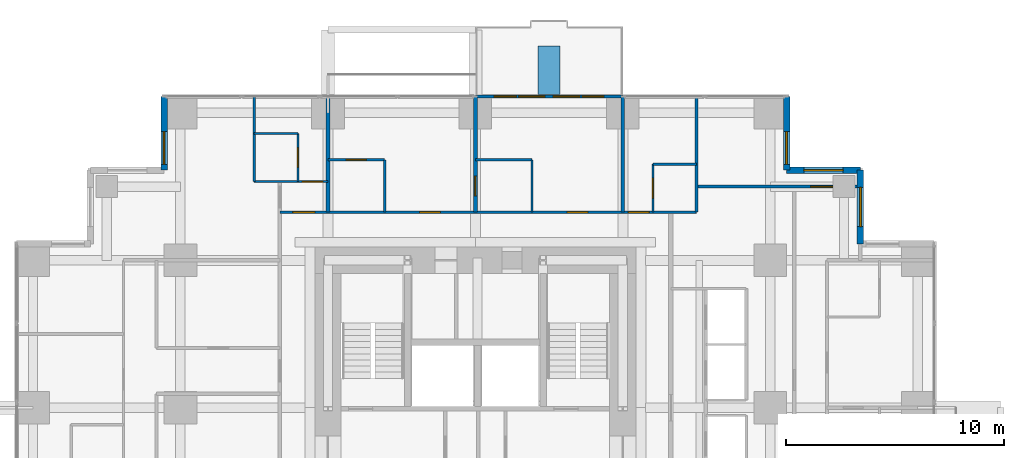
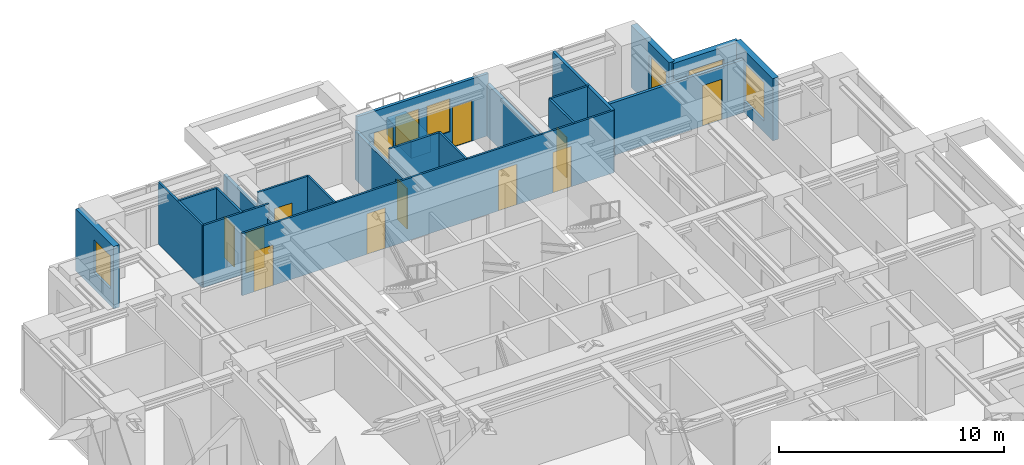
# One storey, part 10 of 12: 22 walls, 12 doors, 6 windows, 18 openings.
"""IFC4 building model written with IfcOpenShell, lengths in metres."""

from ifc_helpers import new_model, si_unit, direction, frame, frame_2d, origin, place, context, subcontext, project, spatial, rectangle, extrude, material, layer, layer_set, type_object, element, fill, save


model = new_model("IFC4")

# Units and contexts
model_context = context("Model", 3, precision=1e-05, world=origin(), true_north=direction((0.0, 1.0)))
body_context = subcontext(model_context, "Body", "Model", "MODEL_VIEW")
ifc_project = project(units=[si_unit("LENGTHUNIT", "METRE"), si_unit("AREAUNIT", "SQUARE_METRE"), si_unit("VOLUMEUNIT", "CUBIC_METRE"), si_unit("PLANEANGLEUNIT", "RADIAN"), si_unit("MASSUNIT", "GRAM", prefix="KILO")], contexts=[model_context])

# Site, building, storey
site_placement = place(None, origin())
site = spatial("IfcSite", under=ifc_project, at=site_placement, CompositionType="ELEMENT")
building_placement = place(site_placement, origin())
building = spatial("IfcBuilding", under=site, at=building_placement, Name="Nyansa Garden Tower", CompositionType="ELEMENT")
storey_placement = place(building_placement, frame((0.0, 0.0, 112.5)))
storey = spatial("IfcBuildingStorey", under=building, at=storey_placement, Name="L30", CompositionType="ELEMENT", Elevation=112.5)

# Wall
ifc_material_1 = material(Name="Dense blockwork, plastered both sides, 55 dB", Category="masonry")
ifc_layer_1 = layer(ifc_material_1, 0.175048828125)
ifc_layer_set_1 = layer_set([ifc_layer_1], Name="Acoustic party wall PW175")
wall_type_1 = type_object("IfcWallType", Name="Acoustic party wall PW175", PredefinedType="PARTITIONING", material=ifc_layer_set_1)
wall_1_placement = place(storey_placement, frame((13.5, 29.199951171875, 0.0), z_axis=(0.0, 0.0, 1.0), x_axis=(0.0, 1.0, 0.0)))
element("IfcWall", 1, at=wall_1_placement, inside=storey, type_object=wall_type_1, Name="Party wall", PredefinedType="PARTITIONING", context=body_context, shape_type="SweptSolid", body=[
    extrude(rectangle(XDim=5.283935546875, YDim=0.175048828125, at=frame_2d((2.64208984375, 0.0))), origin(), (0.0, 0.0, 1.0), 2.610107421875),
])

# Wall, opening, door
wall_2_placement = place(storey_placement, frame((20.25, 29.199951171875, 0.0), z_axis=(0.0, 0.0, 1.0), x_axis=(0.0, 1.0, 0.0)))
wall_2 = element("IfcWall", 2, at=wall_2_placement, inside=storey, type_object=wall_type_1, Name="Party wall", PredefinedType="PARTITIONING", context=body_context, shape_type="SweptSolid", body=[
    extrude(rectangle(XDim=5.283935546875, YDim=0.175048828125, at=frame_2d((2.64208984375, 0.0))), origin(), (0.0, 0.0, 1.0), 2.610107421875),
])
opening_1_placement = place(wall_2_placement, frame((0.75, 0.0, 0.0)))
opening_1 = element("IfcOpeningElement", 3, at=opening_1_placement, cuts=wall_2, Name="Opening D02", PredefinedType="OPENING", context=body_context, shape_type="SweptSolid", body=[
    extrude(rectangle(XDim=0.89990234375, YDim=2.199951171875, at=frame_2d((0.449951171875, 1.10009765625))), frame((0.0, 0.097412109375, 0.0), z_axis=(0.0, -1.0, 0.0), x_axis=(1.0, 0.0, 0.0)), (0.0, 0.0, 1.0), 0.195068359375),
])
ifc_material_2 = material(Name="Timber flush door", Category="wood")
door_type_1 = type_object("IfcDoorType", Name="En-suite door D02 900x2200", OperationType="SINGLE_SWING_RIGHT", PredefinedType="DOOR", material=ifc_material_2)
door_1_placement = place(opening_1_placement, origin())
door_1 = element("IfcDoor", 4, at=door_1_placement, inside=storey, type_object=door_type_1, Name="Door L30-040", OperationType="SINGLE_SWING_RIGHT", OverallHeight=2.199951171875, OverallWidth=0.89990234375, PredefinedType="DOOR", context=body_context, shape_type="SweptSolid", body=[
    extrude(rectangle(XDim=0.89990234375, YDim=2.199951171875, at=frame_2d((0.449951171875, 1.10009765625))), frame((0.0, 0.02490234375, 0.0), z_axis=(0.0, -1.0, 0.0), x_axis=(1.0, 0.0, 0.0)), (0.0, 0.0, 1.0), 0.050048828125),
])
fill(opening_1, door_1)

# Wall
wall_3_placement = place(storey_placement, frame((27.0, 29.199951171875, 0.0), z_axis=(0.0, 0.0, 1.0), x_axis=(0.0, 1.0, 0.0)))
element("IfcWall", 5, at=wall_3_placement, inside=storey, type_object=wall_type_1, Name="Party wall", PredefinedType="PARTITIONING", context=body_context, shape_type="SweptSolid", body=[
    extrude(rectangle(XDim=5.283935546875, YDim=0.175048828125, at=frame_2d((2.64208984375, 0.0))), origin(), (0.0, 0.0, 1.0), 2.805908203125),
])

# Wall, openings, doors, windows
ifc_material_3 = material(Name="Black aluminium framed glazed screen", Category="aluminium")
ifc_layer_2 = layer(ifc_material_3, 0.14990234375)
ifc_layer_set_2 = layer_set([ifc_layer_2], Name="Balcony screen wall BW150")
wall_type_2 = type_object("IfcWallType", Name="Balcony screen wall BW150", PredefinedType="SOLIDWALL", material=ifc_layer_set_2)
wall_4_placement = place(storey_placement, frame((20.25, 34.5, 0.0), z_axis=(0.0, 0.0, 1.0), x_axis=(1.0, 0.0, 0.0)))
wall_4 = element("IfcWall", 6, at=wall_4_placement, inside=storey, type_object=wall_type_2, Name="Glazed screen wall L30 N", PredefinedType="SOLIDWALL", context=body_context, shape_type="SweptSolid", body=[
    extrude(rectangle(XDim=6.75, YDim=0.14990234375, at=frame_2d((3.375, 0.0))), origin(), (0.0, 0.0, 1.0), 3.375),
])
opening_2_placement = place(wall_4_placement, frame((0.862548828125, 0.0, 0.0)))
opening_2 = element("IfcOpeningElement", 7, at=opening_2_placement, cuts=wall_4, Name="Opening D20", PredefinedType="OPENING", context=body_context, shape_type="SweptSolid", body=[
    extrude(rectangle(XDim=1.0, YDim=2.199951171875, at=frame_2d((0.5, 1.10009765625))), frame((0.0, 0.0849609375, 0.0), z_axis=(0.0, -1.0, 0.0), x_axis=(1.0, 0.0, 0.0)), (0.0, 0.0, 1.0), 0.169921875),
])
opening_3_placement = place(wall_4_placement, frame((1.97509765625, 0.0, 0.89990234375)))
opening_3 = element("IfcOpeningElement", 8, at=opening_3_placement, cuts=wall_4, Name="Opening W6", PredefinedType="OPENING", context=body_context, shape_type="SweptSolid", body=[
    extrude(rectangle(XDim=1.199951171875, YDim=1.800048828125, at=frame_2d((0.60009765625, 0.89990234375))), frame((0.0, 0.0849609375, 0.0), z_axis=(0.0, -1.0, 0.0), x_axis=(1.0, 0.0, 0.0)), (0.0, 0.0, 1.0), 0.169921875),
])
opening_4_placement = place(wall_4_placement, frame((4.887451171875, 0.0, 0.0)))
opening_4 = element("IfcOpeningElement", 9, at=opening_4_placement, cuts=wall_4, Name="Opening D20", PredefinedType="OPENING", context=body_context, shape_type="SweptSolid", body=[
    extrude(rectangle(XDim=1.0, YDim=2.199951171875, at=frame_2d((0.5, 1.10009765625))), frame((0.0, 0.0849609375, 0.0), z_axis=(0.0, -1.0, 0.0), x_axis=(1.0, 0.0, 0.0)), (0.0, 0.0, 1.0), 0.169921875),
])
opening_5_placement = place(wall_4_placement, frame((3.574951171875, 0.0, 0.89990234375)))
opening_5 = element("IfcOpeningElement", 10, at=opening_5_placement, cuts=wall_4, Name="Opening W6", PredefinedType="OPENING", context=body_context, shape_type="SweptSolid", body=[
    extrude(rectangle(XDim=1.199951171875, YDim=1.800048828125, at=frame_2d((0.60009765625, 0.89990234375))), frame((0.0, 0.0849609375, 0.0), z_axis=(0.0, -1.0, 0.0), x_axis=(1.0, 0.0, 0.0)), (0.0, 0.0, 1.0), 0.169921875),
])
ifc_material_4 = material(Name="Black aluminium framed glazed door", Category="aluminium")
door_type_2 = type_object("IfcDoorType", Name="Balcony door D20 1000x2200", OperationType="NOTDEFINED", PredefinedType="DOOR", material=ifc_material_4)
door_2_placement = place(opening_2_placement, origin())
door_2 = element("IfcDoor", 11, at=door_2_placement, inside=storey, type_object=door_type_2, Name="Balcony door L30", OperationType="SINGLE_SWING_LEFT", OverallHeight=2.199951171875, OverallWidth=1.0, PredefinedType="DOOR", context=body_context, shape_type="SweptSolid", body=[
    extrude(rectangle(XDim=1.0, YDim=2.199951171875, at=frame_2d((0.5, 1.10009765625))), frame((0.0, 0.02490234375, 0.0), z_axis=(0.0, -1.0, 0.0), x_axis=(1.0, 0.0, 0.0)), (0.0, 0.0, 1.0), 0.050048828125),
])
fill(opening_2, door_2)
door_3_placement = place(opening_4_placement, origin())
door_3 = element("IfcDoor", 12, at=door_3_placement, inside=storey, type_object=door_type_2, Name="Balcony door L30", OperationType="SINGLE_SWING_RIGHT", OverallHeight=2.199951171875, OverallWidth=1.0, PredefinedType="DOOR", context=body_context, shape_type="SweptSolid", body=[
    extrude(rectangle(XDim=1.0, YDim=2.199951171875, at=frame_2d((0.5, 1.10009765625))), frame((0.0, 0.02490234375, 0.0), z_axis=(0.0, -1.0, 0.0), x_axis=(1.0, 0.0, 0.0)), (0.0, 0.0, 1.0), 0.050048828125),
])
fill(opening_4, door_3)
ifc_material_5 = material(Name="Black aluminium frame, dark tinted double glazing", Category="aluminium")
window_type_1 = type_object("IfcWindowType", Name="Balcony window W6 1200x1800", PartitioningType="SINGLE_PANEL", PredefinedType="WINDOW", material=ifc_material_5)
window_1_placement = place(opening_3_placement, origin())
window_1 = element("IfcWindow", 13, at=window_1_placement, inside=storey, type_object=window_type_1, Name="Window L30", OverallHeight=1.800048828125, OverallWidth=1.199951171875, PartitioningType="SINGLE_PANEL", PredefinedType="WINDOW", context=body_context, shape_type="SweptSolid", body=[
    extrude(rectangle(XDim=1.199951171875, YDim=1.800048828125, at=frame_2d((0.60009765625, 0.89990234375))), frame((0.0, 0.030029296875, 0.0), z_axis=(0.0, -1.0, 0.0), x_axis=(1.0, 0.0, 0.0)), (0.0, 0.0, 1.0), 0.06005859375),
])
fill(opening_3, window_1)
window_2_placement = place(opening_5_placement, origin())
window_2 = element("IfcWindow", 14, at=window_2_placement, inside=storey, type_object=window_type_1, Name="Window L30", OverallHeight=1.800048828125, OverallWidth=1.199951171875, PartitioningType="SINGLE_PANEL", PredefinedType="WINDOW", context=body_context, shape_type="SweptSolid", body=[
    extrude(rectangle(XDim=1.199951171875, YDim=1.800048828125, at=frame_2d((0.60009765625, 0.89990234375))), frame((0.0, 0.030029296875, 0.0), z_axis=(0.0, -1.0, 0.0), x_axis=(1.0, 0.0, 0.0)), (0.0, 0.0, 1.0), 0.06005859375),
])
fill(opening_5, window_2)

# Wall
ifc_material_6 = material(Name="Blockwork, plastered both sides", Category="masonry")
ifc_layer_3 = layer(ifc_material_6, 0.14990234375)
ifc_layer_set_3 = layer_set([ifc_layer_3], Name="Partition PW150")
wall_type_3 = type_object("IfcWallType", Name="Partition PW150", PredefinedType="PARTITIONING", material=ifc_layer_set_3)
wall_5_placement = place(storey_placement, frame((30.375, 29.199951171875, 0.0), z_axis=(0.0, 0.0, 1.0), x_axis=(0.0, 1.0, 0.0)))
element("IfcWall", 15, at=wall_5_placement, inside=storey, type_object=wall_type_3, Name="Partition", PredefinedType="PARTITIONING", context=body_context, shape_type="SweptSolid", body=[
    extrude(rectangle(XDim=5.283935546875, YDim=0.14990234375, at=frame_2d((2.64208984375, 0.0))), origin(), (0.0, 0.0, 1.0), 3.375),
])

# Wall, opening, door
wall_6_placement = place(storey_placement, frame((30.375, 30.375, 0.0), z_axis=(0.0, 0.0, 1.0), x_axis=(1.0, 0.0, 0.0)))
wall_6 = element("IfcWall", 16, at=wall_6_placement, inside=storey, type_object=wall_type_3, Name="Partition", PredefinedType="PARTITIONING", context=body_context, shape_type="SweptSolid", body=[
    extrude(rectangle(XDim=7.35009765625, YDim=0.14990234375, at=frame_2d((3.675048828125, 0.0))), origin(), (0.0, 0.0, 1.0), 2.876953125),
])
opening_6_placement = place(wall_6_placement, frame((5.22509765625, 0.0, 0.0)))
opening_6 = element("IfcOpeningElement", 17, at=opening_6_placement, cuts=wall_6, Name="Opening D03", PredefinedType="OPENING", context=body_context, shape_type="SweptSolid", body=[
    extrude(rectangle(XDim=1.0, YDim=2.199951171875, at=frame_2d((0.5, 1.10009765625))), frame((0.0, 0.0849609375, 0.0), z_axis=(0.0, -1.0, 0.0), x_axis=(1.0, 0.0, 0.0)), (0.0, 0.0, 1.0), 0.169921875),
])
ifc_material_7 = material(Name="Timber flush door, 60 minute fire resisting", Category="wood")
door_type_3 = type_object("IfcDoorType", Name="Cluster entrance door D03 1000x2200", OperationType="SINGLE_SWING_LEFT", PredefinedType="DOOR", material=ifc_material_7)
door_4_placement = place(opening_6_placement, origin())
door_4 = element("IfcDoor", 18, at=door_4_placement, inside=storey, type_object=door_type_3, Name="Door L30-036", OperationType="SINGLE_SWING_LEFT", OverallHeight=2.199951171875, OverallWidth=1.0, PredefinedType="DOOR", context=body_context, shape_type="SweptSolid", body=[
    extrude(rectangle(XDim=1.0, YDim=2.199951171875, at=frame_2d((0.5, 1.10009765625))), frame((0.0, 0.02490234375, 0.0), z_axis=(0.0, -1.0, 0.0), x_axis=(1.0, 0.0, 0.0)), (0.0, 0.0, 1.0), 0.050048828125),
])
fill(opening_6, door_4)

# Wall, opening, window
ifc_material_8 = material(Name="Turquoise glazed tile on concrete blockwork", Category="masonry")
ifc_layer_4 = layer(ifc_material_8, 0.300048828125)
ifc_layer_set_4 = layer_set([ifc_layer_4], Name="Tiled corner wall TW300")
wall_type_4 = type_object("IfcWallType", Name="Tiled corner wall TW300", PredefinedType="SOLIDWALL", material=ifc_layer_set_4)
wall_7_placement = place(storey_placement, frame((37.875, 27.75, 0.0), z_axis=(0.0, 0.0, 1.0), x_axis=(0.0, 1.0, 0.0)))
wall_7 = element("IfcWall", 19, at=wall_7_placement, inside=storey, type_object=wall_type_4, Name="Tiled corner wall L30", PredefinedType="SOLIDWALL", context=body_context, shape_type="SweptSolid", body=[
    extrude(rectangle(XDim=3.375, YDim=0.300048828125, at=frame_2d((1.6875, 0.0))), origin(), (0.0, 0.0, 1.0), 3.375),
])
opening_7_placement = place(wall_7_placement, frame((0.78759765625, 0.0, 0.60009765625)))
opening_7 = element("IfcOpeningElement", 20, at=opening_7_placement, cuts=wall_7, Name="Opening W2", PredefinedType="OPENING", context=body_context, shape_type="SweptSolid", body=[
    extrude(rectangle(XDim=1.800048828125, YDim=2.10009765625, at=frame_2d((0.89990234375, 1.050048828125))), frame((0.0, 0.159912109375, 0.0), z_axis=(0.0, -1.0, 0.0), x_axis=(1.0, 0.0, 0.0)), (0.0, 0.0, 1.0), 0.320068359375),
])
ifc_material_9 = material(Name="Black aluminium frame, dark tinted double glazing", Category="aluminium")
window_type_2 = type_object("IfcWindowType", Name="Window W2 1800x2100", PartitioningType="SINGLE_PANEL", PredefinedType="WINDOW", material=ifc_material_9)
window_3_placement = place(opening_7_placement, origin())
window_3 = element("IfcWindow", 21, at=window_3_placement, inside=storey, type_object=window_type_2, Name="Corner window L30", OverallHeight=2.10009765625, OverallWidth=1.800048828125, PartitioningType="SINGLE_PANEL", PredefinedType="WINDOW", context=body_context, shape_type="SweptSolid", body=[
    extrude(rectangle(XDim=1.800048828125, YDim=2.10009765625, at=frame_2d((0.89990234375, 1.050048828125))), frame((0.0, 0.030029296875, 0.0), z_axis=(0.0, -1.0, 0.0), x_axis=(1.0, 0.0, 0.0)), (0.0, 0.0, 1.0), 0.06005859375),
])
fill(opening_7, window_3)

wall_8_placement = place(storey_placement, frame((37.875, 31.125, 0.0), z_axis=(0.0, 0.0, 1.0), x_axis=(-1.0, 0.0, 0.0)))
wall_8 = element("IfcWall", 22, at=wall_8_placement, inside=storey, type_object=wall_type_4, Name="Tiled corner wall L30", PredefinedType="SOLIDWALL", context=body_context, shape_type="SweptSolid", body=[
    extrude(rectangle(XDim=3.375, YDim=0.300048828125, at=frame_2d((1.6875, 0.0))), origin(), (0.0, 0.0, 1.0), 3.375),
])
opening_8_placement = place(wall_8_placement, frame((0.78759765625, 0.0, 0.60009765625)))
opening_8 = element("IfcOpeningElement", 23, at=opening_8_placement, cuts=wall_8, Name="Opening W2", PredefinedType="OPENING", context=body_context, shape_type="SweptSolid", body=[
    extrude(rectangle(XDim=1.800048828125, YDim=2.10009765625, at=frame_2d((0.89990234375, 1.050048828125))), frame((0.0, 0.159912109375, 0.0), z_axis=(0.0, -1.0, 0.0), x_axis=(1.0, 0.0, 0.0)), (0.0, 0.0, 1.0), 0.320068359375),
])
window_4_placement = place(opening_8_placement, origin())
window_4 = element("IfcWindow", 24, at=window_4_placement, inside=storey, type_object=window_type_2, Name="Corner window L30", OverallHeight=2.10009765625, OverallWidth=1.800048828125, PartitioningType="SINGLE_PANEL", PredefinedType="WINDOW", context=body_context, shape_type="SweptSolid", body=[
    extrude(rectangle(XDim=1.800048828125, YDim=2.10009765625, at=frame_2d((0.89990234375, 1.050048828125))), frame((0.0, 0.030029296875, 0.0), z_axis=(0.0, -1.0, 0.0), x_axis=(1.0, 0.0, 0.0)), (0.0, 0.0, 1.0), 0.06005859375),
])
fill(opening_8, window_4)

wall_9_placement = place(storey_placement, frame((34.5, 31.125, 0.0), z_axis=(0.0, 0.0, 1.0), x_axis=(0.0, 1.0, 0.0)))
wall_9 = element("IfcWall", 25, at=wall_9_placement, inside=storey, type_object=wall_type_4, Name="Tiled corner wall L30", PredefinedType="SOLIDWALL", context=body_context, shape_type="SweptSolid", body=[
    extrude(rectangle(XDim=3.375, YDim=0.300048828125, at=frame_2d((1.6875, 0.0))), origin(), (0.0, 0.0, 1.0), 3.375),
])
opening_9_placement = place(wall_9_placement, frame((0.267578125, 0.0, 0.89990234375)))
opening_9 = element("IfcOpeningElement", 26, at=opening_9_placement, cuts=wall_9, Name="Opening W1", PredefinedType="OPENING", context=body_context, shape_type="SweptSolid", body=[
    extrude(rectangle(XDim=1.5, YDim=1.800048828125, at=frame_2d((0.75, 0.89990234375))), frame((0.0, 0.159912109375, 0.0), z_axis=(0.0, -1.0, 0.0), x_axis=(1.0, 0.0, 0.0)), (0.0, 0.0, 1.0), 0.320068359375),
])
ifc_material_10 = material(Name="Black aluminium frame, dark tinted double glazing", Category="aluminium")
window_type_3 = type_object("IfcWindowType", Name="Window W1 1500x1800", PartitioningType="SINGLE_PANEL", PredefinedType="WINDOW", material=ifc_material_10)
window_5_placement = place(opening_9_placement, origin())
window_5 = element("IfcWindow", 27, at=window_5_placement, inside=storey, type_object=window_type_3, Name="Corner window L30", OverallHeight=1.800048828125, OverallWidth=1.5, PartitioningType="SINGLE_PANEL", PredefinedType="WINDOW", context=body_context, shape_type="SweptSolid", body=[
    extrude(rectangle(XDim=1.5, YDim=1.800048828125, at=frame_2d((0.75, 0.89990234375))), frame((0.0, 0.030029296875, 0.0), z_axis=(0.0, -1.0, 0.0), x_axis=(1.0, 0.0, 0.0)), (0.0, 0.0, 1.0), 0.06005859375),
])
fill(opening_9, window_5)

wall_10_placement = place(storey_placement, frame((6.0, 34.5, 0.0), z_axis=(0.0, 0.0, 1.0), x_axis=(0.0, -1.0, 0.0)))
wall_10 = element("IfcWall", 28, at=wall_10_placement, inside=storey, type_object=wall_type_4, Name="Tiled corner wall L30", PredefinedType="SOLIDWALL", context=body_context, shape_type="SweptSolid", body=[
    extrude(rectangle(XDim=3.375, YDim=0.300048828125, at=frame_2d((1.6875, 0.0))), origin(), (0.0, 0.0, 1.0), 3.375),
])
opening_10_placement = place(wall_10_placement, frame((1.607421875, 0.0, 0.89990234375)))
opening_10 = element("IfcOpeningElement", 29, at=opening_10_placement, cuts=wall_10, Name="Opening W1", PredefinedType="OPENING", context=body_context, shape_type="SweptSolid", body=[
    extrude(rectangle(XDim=1.5, YDim=1.800048828125, at=frame_2d((0.75, 0.89990234375))), frame((0.0, 0.159912109375, 0.0), z_axis=(0.0, -1.0, 0.0), x_axis=(1.0, 0.0, 0.0)), (0.0, 0.0, 1.0), 0.320068359375),
])
window_6_placement = place(opening_10_placement, origin())
window_6 = element("IfcWindow", 30, at=window_6_placement, inside=storey, type_object=window_type_3, Name="Corner window L30", OverallHeight=1.800048828125, OverallWidth=1.5, PartitioningType="SINGLE_PANEL", PredefinedType="WINDOW", context=body_context, shape_type="SweptSolid", body=[
    extrude(rectangle(XDim=1.5, YDim=1.800048828125, at=frame_2d((0.75, 0.89990234375))), frame((0.0, 0.030029296875, 0.0), z_axis=(0.0, -1.0, 0.0), x_axis=(1.0, 0.0, 0.0)), (0.0, 0.0, 1.0), 0.06005859375),
])
fill(opening_10, window_6)

# Walls
ifc_material_11 = material(Name="Concrete C40/50 planter, waterproofed", Category="concrete")
ifc_layer_5 = layer(ifc_material_11, 1.0)
ifc_layer_set_5 = layer_set([ifc_layer_5], Name="Tree planter TP1")
wall_type_5 = type_object("IfcWallType", Name="Tree planter TP1", PredefinedType="USERDEFINED", material=ifc_layer_set_5)
wall_11_placement = place(storey_placement, frame((23.625, 34.60009765625, 0.0), z_axis=(0.0, 0.0, 1.0), x_axis=(0.0, 1.0, 0.0)))
element("IfcWall", 31, at=wall_11_placement, inside=storey, type_object=wall_type_5, Name="Tree planter L30", ObjectType="TREE PLANTER", PredefinedType="USERDEFINED", context=body_context, shape_type="SweptSolid", body=[
    extrude(rectangle(XDim=2.199951171875, YDim=1.0, at=frame_2d((1.10009765625, 0.0))), origin(), (0.0, 0.0, 1.0), 0.89990234375),
])
ifc_material_12 = material(Name="Moisture resistant board on steel studs, tiled", Category="steel")
ifc_layer_6 = layer(ifc_material_12, 0.10009765625)
ifc_layer_set_6 = layer_set([ifc_layer_6], Name="Wet wall PW100")
wall_type_6 = type_object("IfcWallType", Name="Wet wall PW100", PredefinedType="PARTITIONING", material=ifc_layer_set_6)
wall_12_placement = place(storey_placement, frame((10.125, 30.60009765625, 0.0), z_axis=(0.0, 0.0, 1.0), x_axis=(0.0, 1.0, 0.0)))
element("IfcWall", 32, at=wall_12_placement, inside=storey, type_object=wall_type_6, Name="Wet wall", PredefinedType="PARTITIONING", context=body_context, shape_type="SweptSolid", body=[
    extrude(rectangle(XDim=3.8837890625, YDim=0.10009765625, at=frame_2d((1.94189453125, 0.0))), origin(), (0.0, 0.0, 1.0), 3.375),
])

# Wall, opening, door
wall_13_placement = place(storey_placement, frame((10.125, 30.60009765625, 0.0), z_axis=(0.0, 0.0, 1.0), x_axis=(1.0, 0.0, 0.0)))
wall_13 = element("IfcWall", 33, at=wall_13_placement, inside=storey, type_object=wall_type_6, Name="Wet wall", PredefinedType="PARTITIONING", context=body_context, shape_type="SweptSolid", body=[
    extrude(rectangle(XDim=3.375, YDim=0.10009765625, at=frame_2d((1.6875, 0.0))), origin(), (0.0, 0.0, 1.0), 3.375),
])
opening_11_placement = place(wall_13_placement, frame((2.199951171875, 0.0, 0.0)))
opening_11 = element("IfcOpeningElement", 34, at=opening_11_placement, cuts=wall_13, Name="Opening D14", PredefinedType="OPENING", context=body_context, shape_type="SweptSolid", body=[
    extrude(rectangle(XDim=0.949951171875, YDim=2.199951171875, at=frame_2d((0.47509765625, 1.10009765625))), frame((0.0, 0.06005859375, 0.0), z_axis=(0.0, -1.0, 0.0), x_axis=(1.0, 0.0, 0.0)), (0.0, 0.0, 1.0), 0.1201171875),
])
ifc_material_13 = material(Name="Timber flush door, 60 minute fire resisting, self-closing", Category="wood")
door_type_4 = type_object("IfcDoorType", Name="Studio entrance door D14 950x2200", OperationType="SINGLE_SWING_LEFT", PredefinedType="DOOR", material=ifc_material_13)
door_5_placement = place(opening_11_placement, origin())
door_5 = element("IfcDoor", 35, at=door_5_placement, inside=storey, type_object=door_type_4, Name="Door L30-041", OperationType="SINGLE_SWING_LEFT", OverallHeight=2.199951171875, OverallWidth=0.949951171875, PredefinedType="DOOR", context=body_context, shape_type="SweptSolid", body=[
    extrude(rectangle(XDim=0.949951171875, YDim=2.199951171875, at=frame_2d((0.47509765625, 1.10009765625))), frame((0.0, 0.02490234375, 0.0), z_axis=(0.0, -1.0, 0.0), x_axis=(1.0, 0.0, 0.0)), (0.0, 0.0, 1.0), 0.050048828125),
])
fill(opening_11, door_5)

# Wall
wall_14_placement = place(storey_placement, frame((10.125, 32.800048828125, 0.0), z_axis=(0.0, 0.0, 1.0), x_axis=(1.0, 0.0, 0.0)))
element("IfcWall", 36, at=wall_14_placement, inside=storey, type_object=wall_type_6, Name="Wet wall", PredefinedType="PARTITIONING", context=body_context, shape_type="SweptSolid", body=[
    extrude(rectangle(XDim=2.0, YDim=0.10009765625, at=frame_2d((1.0, 0.0))), origin(), (0.0, 0.0, 1.0), 3.375),
])

# Wall, openings, doors
wall_15_placement = place(storey_placement, frame((11.300048828125, 29.199951171875, 0.0), z_axis=(0.0, 0.0, 1.0), x_axis=(1.0, 0.0, 0.0)))
wall_15 = element("IfcWall", 37, at=wall_15_placement, inside=storey, type_object=wall_type_6, Name="Wet wall", PredefinedType="PARTITIONING", context=body_context, shape_type="SweptSolid", body=[
    extrude(rectangle(XDim=19.074951171875, YDim=0.10009765625, at=frame_2d((9.53759765625, 0.0))), origin(), (0.0, 0.0, 1.0), 3.375),
])
opening_12_placement = place(wall_15_placement, frame((6.39990234375, 0.0, 0.0)))
opening_12 = element("IfcOpeningElement", 38, at=opening_12_placement, cuts=wall_15, Name="Opening D14", PredefinedType="OPENING", context=body_context, shape_type="SweptSolid", body=[
    extrude(rectangle(XDim=0.949951171875, YDim=2.199951171875, at=frame_2d((0.47509765625, 1.10009765625))), frame((0.0, 0.06005859375, 0.0), z_axis=(0.0, -1.0, 0.0), x_axis=(1.0, 0.0, 0.0)), (0.0, 0.0, 1.0), 0.1201171875),
])
opening_13_placement = place(wall_15_placement, frame((13.14990234375, 0.0, 0.0)))
opening_13 = element("IfcOpeningElement", 39, at=opening_13_placement, cuts=wall_15, Name="Opening D14", PredefinedType="OPENING", context=body_context, shape_type="SweptSolid", body=[
    extrude(rectangle(XDim=0.949951171875, YDim=2.199951171875, at=frame_2d((0.47509765625, 1.10009765625))), frame((0.0, 0.06005859375, 0.0), z_axis=(0.0, -1.0, 0.0), x_axis=(1.0, 0.0, 0.0)), (0.0, 0.0, 1.0), 0.1201171875),
])
opening_14_placement = place(wall_15_placement, frame((15.949951171875, 0.0, 0.0)))
opening_14 = element("IfcOpeningElement", 40, at=opening_14_placement, cuts=wall_15, Name="Opening D14", PredefinedType="OPENING", context=body_context, shape_type="SweptSolid", body=[
    extrude(rectangle(XDim=0.949951171875, YDim=2.199951171875, at=frame_2d((0.47509765625, 1.10009765625))), frame((0.0, 0.06005859375, 0.0), z_axis=(0.0, -1.0, 0.0), x_axis=(1.0, 0.0, 0.0)), (0.0, 0.0, 1.0), 0.1201171875),
])
opening_15_placement = place(wall_15_placement, frame((0.60009765625, 0.0, 0.0)))
opening_15 = element("IfcOpeningElement", 41, at=opening_15_placement, cuts=wall_15, Name="Opening D03", PredefinedType="OPENING", context=body_context, shape_type="SweptSolid", body=[
    extrude(rectangle(XDim=1.0, YDim=2.199951171875, at=frame_2d((0.5, 1.10009765625))), frame((0.0, 0.06005859375, 0.0), z_axis=(0.0, -1.0, 0.0), x_axis=(1.0, 0.0, 0.0)), (0.0, 0.0, 1.0), 0.1201171875),
])
door_6_placement = place(opening_15_placement, origin())
door_6 = element("IfcDoor", 42, at=door_6_placement, inside=storey, type_object=door_type_3, Name="Door L30-045", OperationType="SINGLE_SWING_LEFT", OverallHeight=2.199951171875, OverallWidth=1.0, PredefinedType="DOOR", context=body_context, shape_type="SweptSolid", body=[
    extrude(rectangle(XDim=1.0, YDim=2.199951171875, at=frame_2d((0.5, 1.10009765625))), frame((0.0, 0.02490234375, 0.0), z_axis=(0.0, -1.0, 0.0), x_axis=(1.0, 0.0, 0.0)), (0.0, 0.0, 1.0), 0.050048828125),
])
fill(opening_15, door_6)
door_7_placement = place(opening_12_placement, origin())
door_7 = element("IfcDoor", 43, at=door_7_placement, inside=storey, type_object=door_type_4, Name="Door L30-037", OperationType="SINGLE_SWING_LEFT", OverallHeight=2.199951171875, OverallWidth=0.949951171875, PredefinedType="DOOR", context=body_context, shape_type="SweptSolid", body=[
    extrude(rectangle(XDim=0.949951171875, YDim=2.199951171875, at=frame_2d((0.47509765625, 1.10009765625))), frame((0.0, 0.02490234375, 0.0), z_axis=(0.0, -1.0, 0.0), x_axis=(1.0, 0.0, 0.0)), (0.0, 0.0, 1.0), 0.050048828125),
])
fill(opening_12, door_7)
door_8_placement = place(opening_13_placement, origin())
door_8 = element("IfcDoor", 44, at=door_8_placement, inside=storey, type_object=door_type_4, Name="Door L30-039", OperationType="SINGLE_SWING_LEFT", OverallHeight=2.199951171875, OverallWidth=0.949951171875, PredefinedType="DOOR", context=body_context, shape_type="SweptSolid", body=[
    extrude(rectangle(XDim=0.949951171875, YDim=2.199951171875, at=frame_2d((0.47509765625, 1.10009765625))), frame((0.0, 0.02490234375, 0.0), z_axis=(0.0, -1.0, 0.0), x_axis=(1.0, 0.0, 0.0)), (0.0, 0.0, 1.0), 0.050048828125),
])
fill(opening_13, door_8)
door_9_placement = place(opening_14_placement, origin())
door_9 = element("IfcDoor", 45, at=door_9_placement, inside=storey, type_object=door_type_4, Name="Door L30-043", OperationType="SINGLE_SWING_LEFT", OverallHeight=2.199951171875, OverallWidth=0.949951171875, PredefinedType="DOOR", context=body_context, shape_type="SweptSolid", body=[
    extrude(rectangle(XDim=0.949951171875, YDim=2.199951171875, at=frame_2d((0.47509765625, 1.10009765625))), frame((0.0, 0.02490234375, 0.0), z_axis=(0.0, -1.0, 0.0), x_axis=(1.0, 0.0, 0.0)), (0.0, 0.0, 1.0), 0.050048828125),
])
fill(opening_14, door_9)

# Wall, opening, door
wall_16_placement = place(storey_placement, frame((12.125, 30.60009765625, 0.0), z_axis=(0.0, 0.0, 1.0), x_axis=(0.0, 1.0, 0.0)))
wall_16 = element("IfcWall", 46, at=wall_16_placement, inside=storey, type_object=wall_type_6, Name="Wet wall", PredefinedType="PARTITIONING", context=body_context, shape_type="SweptSolid", body=[
    extrude(rectangle(XDim=2.199951171875, YDim=0.10009765625, at=frame_2d((1.10009765625, 0.0))), origin(), (0.0, 0.0, 1.0), 3.375),
])
opening_16_placement = place(wall_16_placement, frame((0.64990234375, 0.0, 0.0)))
opening_16 = element("IfcOpeningElement", 47, at=opening_16_placement, cuts=wall_16, Name="Opening D02", PredefinedType="OPENING", context=body_context, shape_type="SweptSolid", body=[
    extrude(rectangle(XDim=0.89990234375, YDim=2.199951171875, at=frame_2d((0.449951171875, 1.10009765625))), frame((0.0, 0.06005859375, 0.0), z_axis=(0.0, -1.0, 0.0), x_axis=(1.0, 0.0, 0.0)), (0.0, 0.0, 1.0), 0.1201171875),
])
door_10_placement = place(opening_16_placement, origin())
door_10 = element("IfcDoor", 48, at=door_10_placement, inside=storey, type_object=door_type_1, Name="Door L30-042", OperationType="SINGLE_SWING_RIGHT", OverallHeight=2.199951171875, OverallWidth=0.89990234375, PredefinedType="DOOR", context=body_context, shape_type="SweptSolid", body=[
    extrude(rectangle(XDim=0.89990234375, YDim=2.199951171875, at=frame_2d((0.449951171875, 1.10009765625))), frame((0.0, 0.02490234375, 0.0), z_axis=(0.0, -1.0, 0.0), x_axis=(1.0, 0.0, 0.0)), (0.0, 0.0, 1.0), 0.050048828125),
])
fill(opening_16, door_10)

wall_17_placement = place(storey_placement, frame((13.5, 31.60009765625, 0.0), z_axis=(0.0, 0.0, 1.0), x_axis=(1.0, 0.0, 0.0)))
wall_17 = element("IfcWall", 49, at=wall_17_placement, inside=storey, type_object=wall_type_6, Name="Wet wall", PredefinedType="PARTITIONING", context=body_context, shape_type="SweptSolid", body=[
    extrude(rectangle(XDim=2.60009765625, YDim=0.10009765625, at=frame_2d((1.300048828125, 0.0))), origin(), (0.0, 0.0, 1.0), 3.375),
])
opening_17_placement = place(wall_17_placement, frame((0.85009765625, 0.0, 0.0)))
opening_17 = element("IfcOpeningElement", 50, at=opening_17_placement, cuts=wall_17, Name="Opening D02", PredefinedType="OPENING", context=body_context, shape_type="SweptSolid", body=[
    extrude(rectangle(XDim=0.89990234375, YDim=2.199951171875, at=frame_2d((0.449951171875, 1.10009765625))), frame((0.0, 0.06005859375, 0.0), z_axis=(0.0, -1.0, 0.0), x_axis=(1.0, 0.0, 0.0)), (0.0, 0.0, 1.0), 0.1201171875),
])
door_11_placement = place(opening_17_placement, origin())
door_11 = element("IfcDoor", 51, at=door_11_placement, inside=storey, type_object=door_type_1, Name="Door L30-038", OperationType="SINGLE_SWING_RIGHT", OverallHeight=2.199951171875, OverallWidth=0.89990234375, PredefinedType="DOOR", context=body_context, shape_type="SweptSolid", body=[
    extrude(rectangle(XDim=0.89990234375, YDim=2.199951171875, at=frame_2d((0.449951171875, 1.10009765625))), frame((0.0, 0.02490234375, 0.0), z_axis=(0.0, -1.0, 0.0), x_axis=(1.0, 0.0, 0.0)), (0.0, 0.0, 1.0), 0.050048828125),
])
fill(opening_17, door_11)

# Walls
wall_18_placement = place(storey_placement, frame((16.10009765625, 29.199951171875, 0.0), z_axis=(0.0, 0.0, 1.0), x_axis=(0.0, 1.0, 0.0)))
element("IfcWall", 52, at=wall_18_placement, inside=storey, type_object=wall_type_6, Name="Wet wall", PredefinedType="PARTITIONING", context=body_context, shape_type="SweptSolid", body=[
    extrude(rectangle(XDim=2.400146484375, YDim=0.10009765625, at=frame_2d((1.2001953125, 0.0))), origin(), (0.0, 0.0, 1.0), 3.375),
])
wall_19_placement = place(storey_placement, frame((20.25, 31.60009765625, 0.0), z_axis=(0.0, 0.0, 1.0), x_axis=(1.0, 0.0, 0.0)))
element("IfcWall", 53, at=wall_19_placement, inside=storey, type_object=wall_type_6, Name="Wet wall", PredefinedType="PARTITIONING", context=body_context, shape_type="SweptSolid", body=[
    extrude(rectangle(XDim=2.60009765625, YDim=0.10009765625, at=frame_2d((1.300048828125, 0.0))), origin(), (0.0, 0.0, 1.0), 3.375),
])
wall_20_placement = place(storey_placement, frame((22.85009765625, 29.199951171875, 0.0), z_axis=(0.0, 0.0, 1.0), x_axis=(0.0, 1.0, 0.0)))
element("IfcWall", 54, at=wall_20_placement, inside=storey, type_object=wall_type_6, Name="Wet wall", PredefinedType="PARTITIONING", context=body_context, shape_type="SweptSolid", body=[
    extrude(rectangle(XDim=2.400146484375, YDim=0.10009765625, at=frame_2d((1.2001953125, 0.0))), origin(), (0.0, 0.0, 1.0), 3.375),
])

# Wall, opening, door
wall_21_placement = place(storey_placement, frame((28.375, 29.199951171875, 0.0), z_axis=(0.0, 0.0, 1.0), x_axis=(0.0, 1.0, 0.0)))
wall_21 = element("IfcWall", 55, at=wall_21_placement, inside=storey, type_object=wall_type_6, Name="Wet wall", PredefinedType="PARTITIONING", context=body_context, shape_type="SweptSolid", body=[
    extrude(rectangle(XDim=2.199951171875, YDim=0.10009765625, at=frame_2d((1.10009765625, 0.0))), origin(), (0.0, 0.0, 1.0), 3.375),
])
opening_18_placement = place(wall_21_placement, frame((0.64990234375, 0.0, 0.0)))
opening_18 = element("IfcOpeningElement", 56, at=opening_18_placement, cuts=wall_21, Name="Opening D02", PredefinedType="OPENING", context=body_context, shape_type="SweptSolid", body=[
    extrude(rectangle(XDim=0.89990234375, YDim=2.199951171875, at=frame_2d((0.449951171875, 1.10009765625))), frame((0.0, 0.06005859375, 0.0), z_axis=(0.0, -1.0, 0.0), x_axis=(1.0, 0.0, 0.0)), (0.0, 0.0, 1.0), 0.1201171875),
])
door_12_placement = place(opening_18_placement, origin())
door_12 = element("IfcDoor", 57, at=door_12_placement, inside=storey, type_object=door_type_1, Name="Door L30-044", OperationType="SINGLE_SWING_RIGHT", OverallHeight=2.199951171875, OverallWidth=0.89990234375, PredefinedType="DOOR", context=body_context, shape_type="SweptSolid", body=[
    extrude(rectangle(XDim=0.89990234375, YDim=2.199951171875, at=frame_2d((0.449951171875, 1.10009765625))), frame((0.0, 0.02490234375, 0.0), z_axis=(0.0, -1.0, 0.0), x_axis=(1.0, 0.0, 0.0)), (0.0, 0.0, 1.0), 0.050048828125),
])
fill(opening_18, door_12)

# Wall
wall_22_placement = place(storey_placement, frame((28.375, 31.39990234375, 0.0), z_axis=(0.0, 0.0, 1.0), x_axis=(1.0, 0.0, 0.0)))
element("IfcWall", 58, at=wall_22_placement, inside=storey, type_object=wall_type_6, Name="Wet wall", PredefinedType="PARTITIONING", context=body_context, shape_type="SweptSolid", body=[
    extrude(rectangle(XDim=2.0, YDim=0.10009765625, at=frame_2d((1.0, 0.0))), origin(), (0.0, 0.0, 1.0), 3.375),
])

save(model, "model.ifc")
